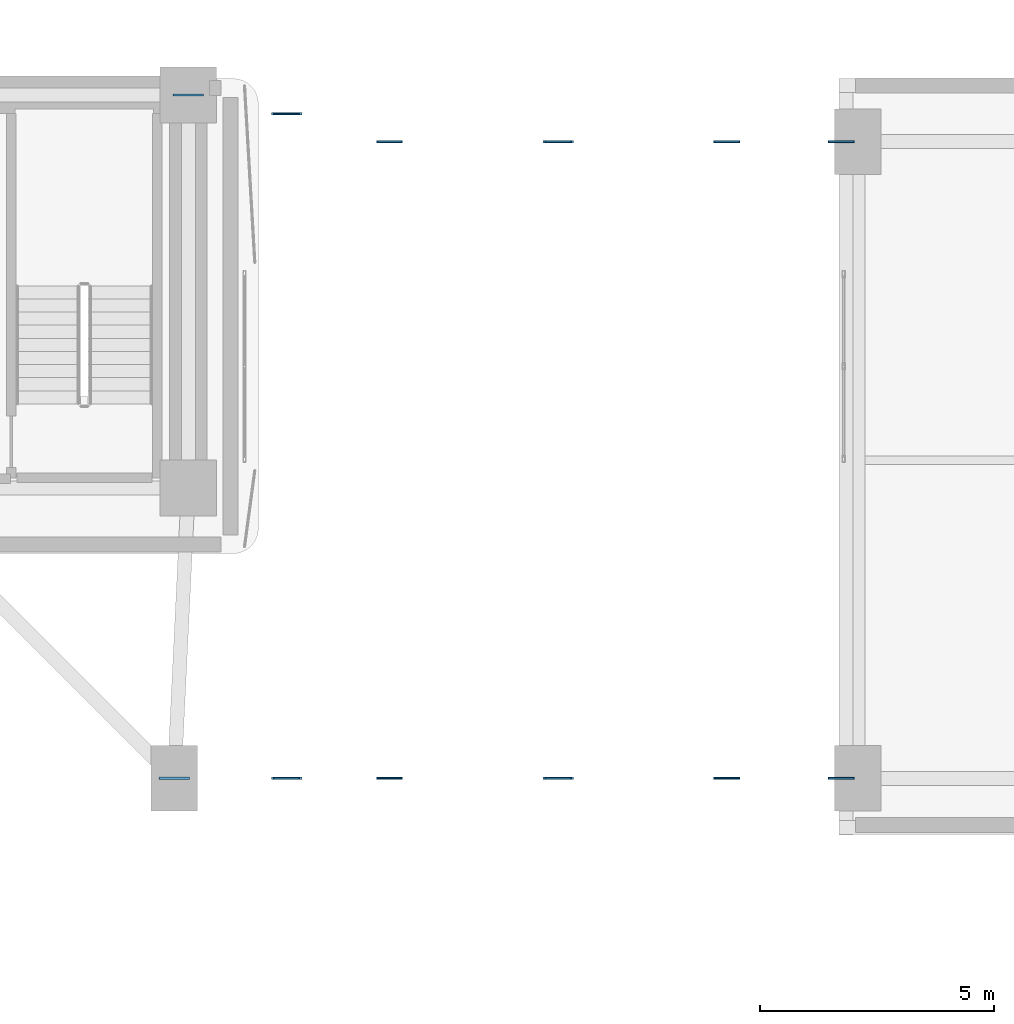
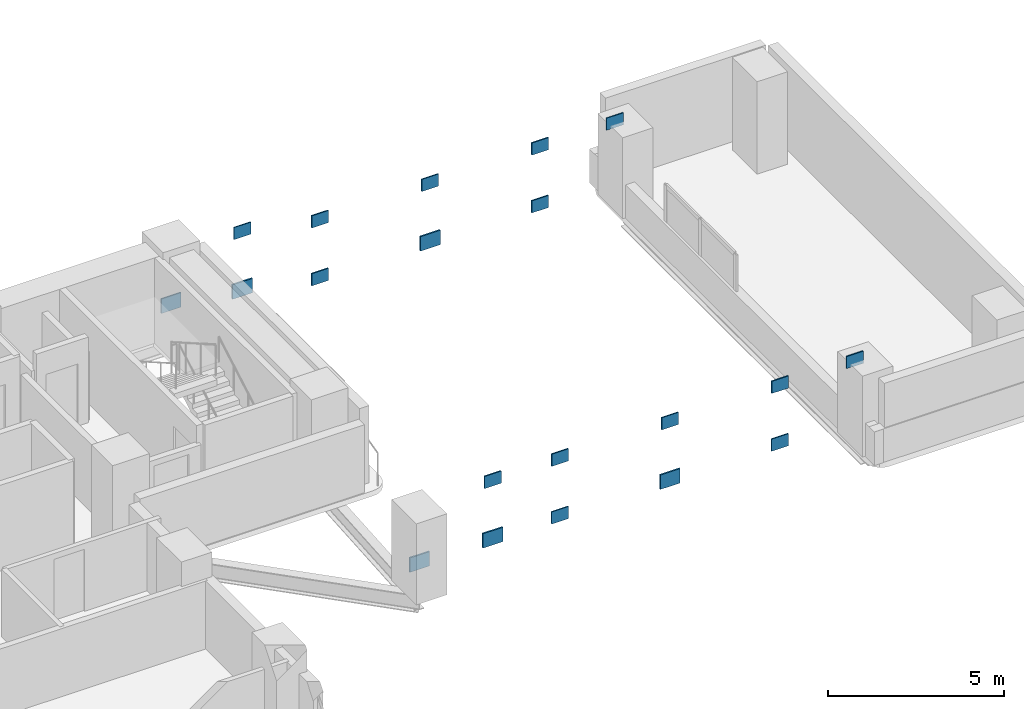
# One storey, part 7 of 14: 20 plates.
"""IFC4 building model written with IfcOpenShell, lengths in metres."""

from ifc_helpers import new_model, si_unit, direction, frame, origin, origin_2d, place, context, subcontext, project, spatial, rectangle, extrude, material, layer, layer_set, type_object, element, save


model = new_model("IFC4")

# Units and contexts
model_context = context("Model", 3, precision=1e-05, world=origin(), true_north=direction((0.0, 1.0)))
body_context = subcontext(model_context, "Body", "Model", "MODEL_VIEW")
ifc_project = project(units=[si_unit("LENGTHUNIT", "METRE"), si_unit("AREAUNIT", "SQUARE_METRE"), si_unit("VOLUMEUNIT", "CUBIC_METRE"), si_unit("PLANEANGLEUNIT", "RADIAN"), si_unit("MASSUNIT", "GRAM", prefix="KILO")], contexts=[model_context])

# Site, building, storey
site_placement = place(None, origin())
site = spatial("IfcSite", under=ifc_project, at=site_placement, CompositionType="ELEMENT")
building_placement = place(site_placement, origin())
building = spatial("IfcBuilding", under=site, at=building_placement, Name="Kuzgunbayir Cultural Tower", CompositionType="ELEMENT")
storey_placement = place(building_placement, frame((0.0, 0.0, 36.60009765625)))
storey = spatial("IfcBuildingStorey", under=building, at=storey_placement, Name="L09", CompositionType="ELEMENT", Elevation=36.60009765625)

# Plates
ifc_material = material(Name="Steel S460M", Category="steel")
ifc_layer_1 = layer(ifc_material, 0.034912109375)
ifc_layer_set_1 = layer_set([ifc_layer_1], Name="Steel S460M")
plate_type_1 = type_object("IfcPlateType", Name="PLT-CAP-END-35", PredefinedType="USERDEFINED", material=ifc_layer_set_1)
for number, where, z_axis, x_axis, name in (
    (1, (31.199951171875, 27.60009765625, 0.68994140625), (0.0, 0.0, 1.0), (1.0, 0.0, 0.0), "L09 Hollow End Cap Plate PTN-2 End"),
    (2, (38.39990234375, 27.60009765625, 0.68994140625), (0.0, 0.0, 1.0), (1.0, 0.0, 0.0), "L09 Hollow End Cap Plate PTN-4 End"),
    (3, (29.0, 41.800048828125, 2.68994140625), (0.0, 0.0, 1.0), (1.0, 0.0, 0.0), "L09 Hollow End Cap Plate PTN-6 End"),
    (4, (34.800048828125, 41.199951171875, 2.68994140625), (0.0, 0.0, 1.0), (1.0, 0.0, 0.0), "L09 Hollow End Cap Plate PTN-8 End"),
    (5, (40.85009765625, 41.199951171875, 2.68994140625), (0.0, 0.0, 1.0), (1.0, 0.0, 0.0), "L09 Hollow End Cap Plate PTN-10 End"),
):
    element("IfcPlate", number, at=place(storey_placement, frame(where, z_axis=z_axis, x_axis=x_axis)), inside=storey, type_object=plate_type_1, Name=name, ObjectType="END_CAP_PLATE", PredefinedType="USERDEFINED", context=body_context, shape_type="SweptSolid", body=[
        extrude(rectangle(XDim=0.550048828125, YDim=0.034912109375, at=origin_2d()), origin(), (0.0, 0.0, 1.0), 0.419921875),
    ])
ifc_layer_2 = layer(ifc_material, 0.0400390625)
ifc_layer_set_2 = layer_set([ifc_layer_2], Name="Steel S460M")
plate_type_2 = type_object("IfcPlateType", Name="PLT-CAP-END-40", PredefinedType="USERDEFINED", material=ifc_layer_set_2)
for number, where, z_axis, x_axis, name in (
    (6, (29.0, 27.60009765625, 2.68994140625), (0.0, 0.0, 1.0), (1.0, 0.0, 0.0), "L09 Hollow End Cap Plate PTN-1 End"),
    (7, (34.800048828125, 27.60009765625, 2.68994140625), (0.0, 0.0, 1.0), (1.0, 0.0, 0.0), "L09 Hollow End Cap Plate PTN-3 End"),
    (8, (40.85009765625, 27.60009765625, 2.68994140625), (0.0, 0.0, 1.0), (1.0, 0.0, 0.0), "L09 Hollow End Cap Plate PTN-5 End"),
    (9, (31.199951171875, 41.199951171875, 0.68994140625), (0.0, 0.0, 1.0), (1.0, 0.0, 0.0), "L09 Hollow End Cap Plate PTN-7 End"),
    (10, (38.39990234375, 41.199951171875, 0.68994140625), (0.0, 0.0, 1.0), (1.0, 0.0, 0.0), "L09 Hollow End Cap Plate PTN-9 End"),
    (11, (31.199951171875, 27.60009765625, 2.68994140625), (0.0, 0.0, 1.0), (1.0, 0.0, 0.0), "L09 Hollow End Cap Plate PTP-312-27 End"),
    (12, (38.39990234375, 27.60009765625, 2.68994140625), (0.0, 0.0, 1.0), (1.0, 0.0, 0.0), "L09 Hollow End Cap Plate PTP-384-27 End"),
    (13, (31.199951171875, 41.199951171875, 2.68994140625), (0.0, 0.0, 1.0), (1.0, 0.0, 0.0), "L09 Hollow End Cap Plate PTP-312-41 End"),
    (14, (38.39990234375, 41.199951171875, 2.68994140625), (0.0, 0.0, 1.0), (1.0, 0.0, 0.0), "L09 Hollow End Cap Plate PTP-384-41 End"),
):
    element("IfcPlate", number, at=place(storey_placement, frame(where, z_axis=z_axis, x_axis=x_axis)), inside=storey, type_object=plate_type_2, Name=name, ObjectType="END_CAP_PLATE", PredefinedType="USERDEFINED", context=body_context, shape_type="SweptSolid", body=[
        extrude(rectangle(XDim=0.550048828125, YDim=0.0400390625, at=origin_2d()), origin(), (0.0, 0.0, 1.0), 0.419921875),
    ])
ifc_layer_3 = layer(ifc_material, 0.044921875)
ifc_layer_set_3 = layer_set([ifc_layer_3], Name="Steel S460M")
plate_type_3 = type_object("IfcPlateType", Name="PLT-NODE-GUSSET-45", PredefinedType="USERDEFINED", material=ifc_layer_set_3)
plate_placement = place(storey_placement, frame((26.89990234375, 42.199951171875, 0.64990234375), z_axis=(0.0, 0.0, 1.0), x_axis=(1.0, 0.0, 0.0)))
element("IfcPlate", 15, at=plate_placement, inside=storey, type_object=plate_type_3, Name="L09 Truss Gusset Plate PTN-6 Start", ObjectType="GUSSET_PLATE", PredefinedType="USERDEFINED", context=body_context, shape_type="SweptSolid", body=[
    extrude(rectangle(XDim=0.64990234375, YDim=0.044921875, at=origin_2d()), origin(), (0.0, 0.0, 1.0), 0.5),
])
ifc_layer_4 = layer(ifc_material, 0.050048828125)
ifc_layer_set_4 = layer_set([ifc_layer_4], Name="Steel S460M")
plate_type_4 = type_object("IfcPlateType", Name="PLT-NODE-GUSSET-50", PredefinedType="USERDEFINED", material=ifc_layer_set_4)
for number, where, z_axis, x_axis, name in (
    (16, (26.60009765625, 27.60009765625, 0.64990234375), (0.0, 0.0, 1.0), (1.0, 0.0, 0.0), "L09 Truss Gusset Plate PTN-1 Start"),
    (17, (29.0, 27.60009765625, 0.64990234375), (0.0, 0.0, 1.0), (1.0, 0.0, 0.0), "L09 Truss Gusset Plate PTP-290-27 Start"),
    (18, (34.800048828125, 27.60009765625, 0.64990234375), (0.0, 0.0, 1.0), (1.0, 0.0, 0.0), "L09 Truss Gusset Plate PTP-348-27 Start"),
    (19, (29.0, 41.800048828125, 0.64990234375), (0.0, 0.0, 1.0), (1.0, 0.0, 0.0), "L09 Truss Gusset Plate PTP-290-41 Start"),
    (20, (34.800048828125, 41.199951171875, 0.64990234375), (0.0, 0.0, 1.0), (1.0, 0.0, 0.0), "L09 Truss Gusset Plate PTP-348-41 Start"),
):
    element("IfcPlate", number, at=place(storey_placement, frame(where, z_axis=z_axis, x_axis=x_axis)), inside=storey, type_object=plate_type_4, Name=name, ObjectType="GUSSET_PLATE", PredefinedType="USERDEFINED", context=body_context, shape_type="SweptSolid", body=[
        extrude(rectangle(XDim=0.64990234375, YDim=0.050048828125, at=origin_2d()), origin(), (0.0, 0.0, 1.0), 0.5),
    ])

save(model, "model.ifc")
